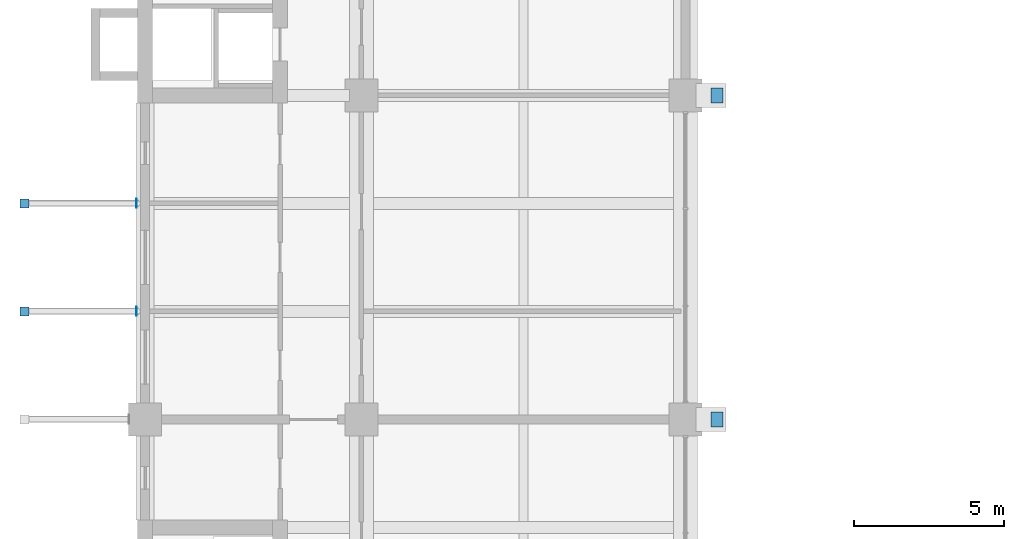
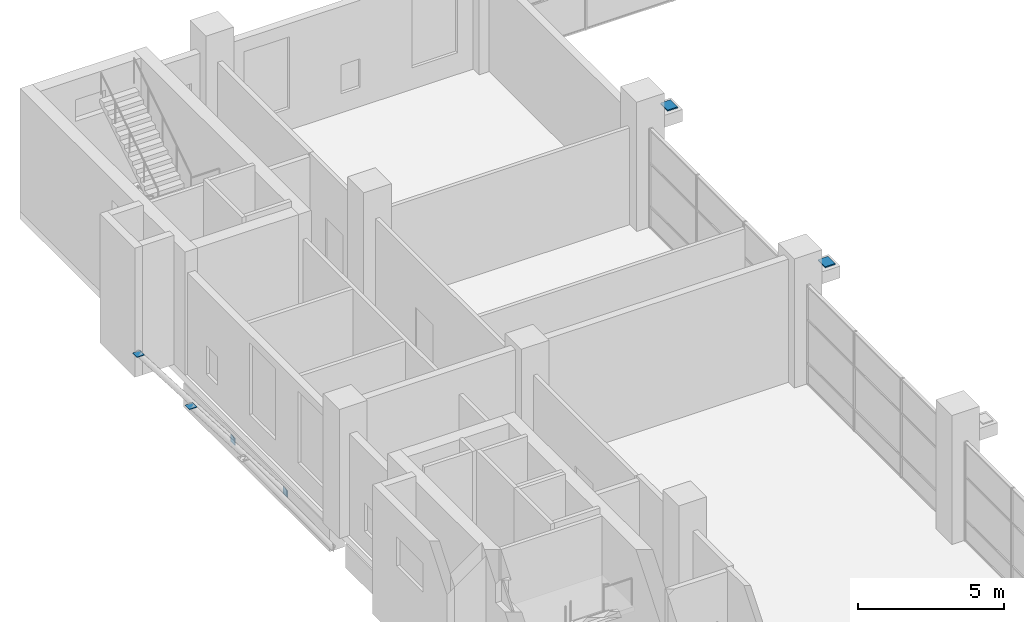
# One storey, part 31 of 38: 6 discrete accessories.
"""IFC4 building model written with IfcOpenShell, lengths in metres."""

from ifc_helpers import new_model, si_unit, direction, frame, origin, origin_2d, place, context, subcontext, project, spatial, rectangle, extrude, material, type_object, element, save


model = new_model("IFC4")

# Units and contexts
model_context = context("Model", 3, precision=1e-05, world=origin(), true_north=direction((0.0, 1.0)))
body_context = subcontext(model_context, "Body", "Model", "MODEL_VIEW")
ifc_project = project(units=[si_unit("LENGTHUNIT", "METRE"), si_unit("AREAUNIT", "SQUARE_METRE"), si_unit("VOLUMEUNIT", "CUBIC_METRE"), si_unit("PLANEANGLEUNIT", "RADIAN"), si_unit("MASSUNIT", "GRAM", prefix="KILO")], contexts=[model_context])

# Site, building, storey
site_placement = place(None, origin())
site = spatial("IfcSite", under=ifc_project, at=site_placement, CompositionType="ELEMENT")
building_placement = place(site_placement, origin())
building = spatial("IfcBuilding", under=site, at=building_placement, Name="Basin Gate Institute", CompositionType="ELEMENT")
storey_placement = place(building_placement, frame((0.0, 0.0, 16.800048828125)))
storey = spatial("IfcBuildingStorey", under=building, at=storey_placement, Name="L03", CompositionType="ELEMENT", Elevation=16.800048828125)

# Discrete accessories
ifc_material_1 = material(Name="Structural steel SN490", Category="steel")
discrete_accessory_type_1 = type_object("IfcDiscreteAccessoryType", Name="Brace end plate BP300", PredefinedType="BRACKET", material=ifc_material_1)
discrete_accessory_1_placement = place(storey_placement, frame((60.913818359375, 81.89990234375, -0.80224609375), z_axis=(0.0, 0.0, 1.0), x_axis=(1.0, 0.0, 0.0)))
element("IfcDiscreteAccessory", 1, at=discrete_accessory_1_placement, inside=storey, type_object=discrete_accessory_type_1, material=ifc_material_1, Name="Tray bracket W L04 tray 2.2 end plate 1", PredefinedType="BRACKET", context=body_context, shape_type="SweptSolid", body=[
    extrude(rectangle(XDim=0.02001953125, YDim=0.300048828125, at=origin_2d()), origin(), (0.0, 0.0, 1.0), 0.300048828125),
])
discrete_accessory_2_placement = place(storey_placement, frame((57.180419921875, 81.89990234375, 4.22998046875), z_axis=(0.0, 0.0, 1.0), x_axis=(1.0, 0.0, 0.0)))
element("IfcDiscreteAccessory", 2, at=discrete_accessory_2_placement, inside=storey, type_object=discrete_accessory_type_1, material=ifc_material_1, Name="Tray bracket W L04 tray 2.2 end plate 2", PredefinedType="BRACKET", context=body_context, shape_type="SweptSolid", body=[
    extrude(rectangle(XDim=0.300048828125, YDim=0.300048828125, at=origin_2d()), origin(), (0.0, 0.0, 1.0), 0.02001953125),
])
discrete_accessory_3_placement = place(storey_placement, frame((60.913818359375, 85.5, -0.80224609375), z_axis=(0.0, 0.0, 1.0), x_axis=(1.0, 0.0, 0.0)))
element("IfcDiscreteAccessory", 3, at=discrete_accessory_3_placement, inside=storey, type_object=discrete_accessory_type_1, material=ifc_material_1, Name="Tray bracket W L04 tray 2.3 end plate 1", PredefinedType="BRACKET", context=body_context, shape_type="SweptSolid", body=[
    extrude(rectangle(XDim=0.02001953125, YDim=0.300048828125, at=origin_2d()), origin(), (0.0, 0.0, 1.0), 0.300048828125),
])
discrete_accessory_4_placement = place(storey_placement, frame((57.180419921875, 85.5, 4.22998046875), z_axis=(0.0, 0.0, 1.0), x_axis=(1.0, 0.0, 0.0)))
element("IfcDiscreteAccessory", 4, at=discrete_accessory_4_placement, inside=storey, type_object=discrete_accessory_type_1, material=ifc_material_1, Name="Tray bracket W L04 tray 2.3 end plate 2", PredefinedType="BRACKET", context=body_context, shape_type="SweptSolid", body=[
    extrude(rectangle(XDim=0.300048828125, YDim=0.300048828125, at=origin_2d()), origin(), (0.0, 0.0, 1.0), 0.02001953125),
])
ifc_material_2 = material(Name="Stainless steel plate on PTFE sliding surface", Category="steel")
discrete_accessory_type_2 = type_object("IfcDiscreteAccessoryType", Name="Sliding bearing BR1", PredefinedType="SHOE", material=ifc_material_2)
for number, where, z_axis, x_axis, name in (
    (5, (80.25, 78.300048828125, 4.35009765625), (0.0, 0.0, 1.0), (1.0, 0.0, 0.0), "Atrium shell sliding bearing 5W"),
    (6, (80.25, 89.10009765625, 4.35009765625), (0.0, 0.0, 1.0), (1.0, 0.0, 0.0), "Atrium shell sliding bearing 6W"),
):
    element("IfcDiscreteAccessory", number, at=place(storey_placement, frame(where, z_axis=z_axis, x_axis=x_axis)), inside=storey, type_object=discrete_accessory_type_2, material=ifc_material_2, Name=name, PredefinedType="SHOE", context=body_context, shape_type="SweptSolid", body=[
        extrude(rectangle(XDim=0.39990234375, YDim=0.5, at=origin_2d()), origin(), (0.0, 0.0, 1.0), 0.050048828125),
    ])

save(model, "model.ifc")
